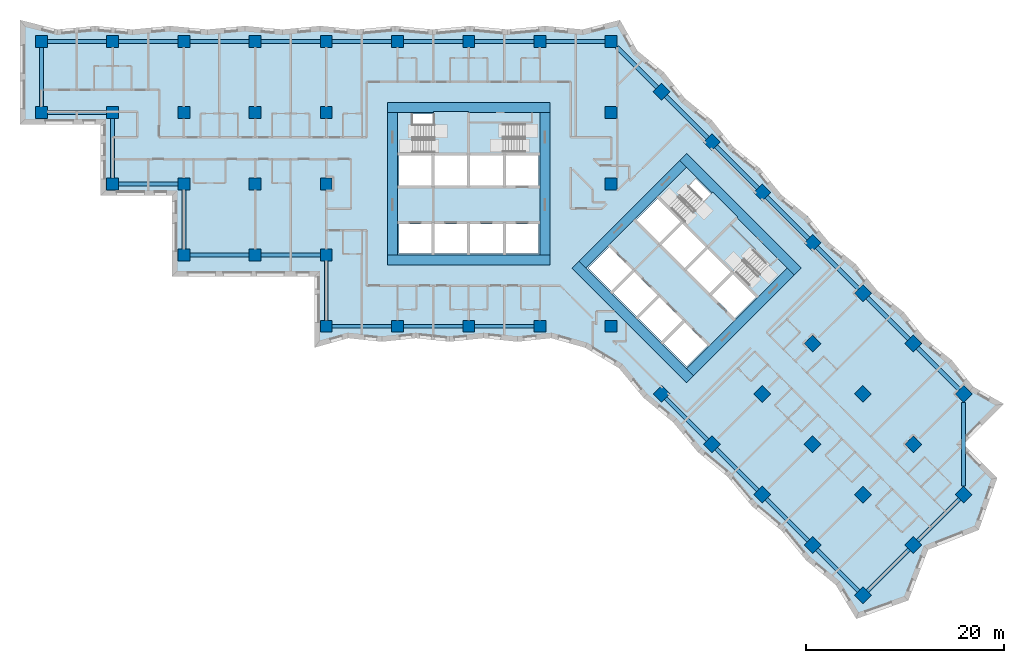
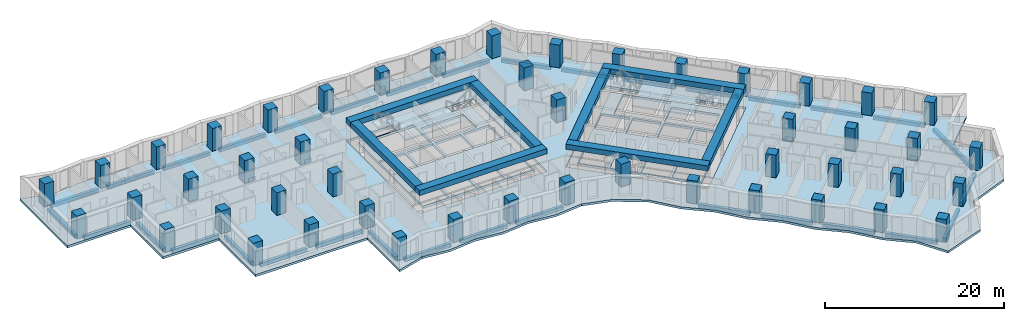
# One storey, part 1 of 13: 48 columns, 41 beams, 7 slabs, 22 openings, 4 elements without a shape of their own.
"""IFC4 building model written with IfcOpenShell, lengths in metres."""

from ifc_helpers import new_model, si_unit, direction, frame, origin, origin_2d, place, context, subcontext, project, spatial, polyline, rectangle, outline, extrude, material, layer, layer_set, material_profile, profile_set, type_object, element, aggregate, save


model = new_model("IFC4")

# Units and contexts
model_context = context("Model", 3, precision=1e-05, world=origin(), true_north=direction((0.0, 1.0)))
body_context = subcontext(model_context, "Body", "Model", "MODEL_VIEW")
ifc_project = project(units=[si_unit("LENGTHUNIT", "METRE"), si_unit("AREAUNIT", "SQUARE_METRE"), si_unit("VOLUMEUNIT", "CUBIC_METRE"), si_unit("PLANEANGLEUNIT", "RADIAN"), si_unit("MASSUNIT", "GRAM", prefix="KILO")], contexts=[model_context])

# Site, building, storey
site_placement = place(None, origin())
site = spatial("IfcSite", under=ifc_project, at=site_placement, CompositionType="ELEMENT")
building_placement = place(site_placement, origin())
building = spatial("IfcBuilding", under=site, at=building_placement, Name="Windrow Commons", CompositionType="ELEMENT")
storey_placement = place(building_placement, frame((0.0, 0.0, 33.8)))
storey = spatial("IfcBuildingStorey", under=building, at=storey_placement, Name="L08", CompositionType="ELEMENT", Elevation=33.8)

# Columns
ifc_material_1 = material(Name="Concrete C60/75", Category="concrete")
ifc_material_profile_1 = material_profile(ifc_material_1, rectangle(XDim=1.2, YDim=1.2, at=origin_2d()))
ifc_profile_set_1 = profile_set([ifc_material_profile_1], Name="Concrete C60/75")
column_type = type_object("IfcColumnType", Name="RC COLUMN 1200x1200 C60/75", PredefinedType="COLUMN", material=ifc_profile_set_1)
for number, where, z_axis, x_axis, name in (
    (1, (21.6, 64.8, 0.0), (0.0, 0.0, 1.0), (1.0, 0.0, 0.0), "C-Z1-04I"),
    (2, (21.6, 72.0, 0.0), (0.0, 0.0, 1.0), (1.0, 0.0, 0.0), "C-Z1-04J"),
    (3, (28.8, 57.6, 0.0), (0.0, 0.0, 1.0), (1.0, 0.0, 0.0), "C-Z1-05H"),
    (4, (28.8, 64.8, 0.0), (0.0, 0.0, 1.0), (1.0, 0.0, 0.0), "C-Z1-05I"),
    (5, (28.8, 72.0, 0.0), (0.0, 0.0, 1.0), (1.0, 0.0, 0.0), "C-Z1-05J"),
    (6, (36.0, 50.4, 0.0), (0.0, 0.0, 1.0), (1.0, 0.0, 0.0), "C-Z1-06G"),
    (7, (36.0, 57.6, 0.0), (0.0, 0.0, 1.0), (1.0, 0.0, 0.0), "C-Z1-06H"),
    (8, (36.0, 64.8, 0.0), (0.0, 0.0, 1.0), (1.0, 0.0, 0.0), "C-Z1-06I"),
    (9, (36.0, 72.0, 0.0), (0.0, 0.0, 1.0), (1.0, 0.0, 0.0), "C-Z1-06J"),
    (10, (43.2, 50.4, 0.0), (0.0, 0.0, 1.0), (1.0, 0.0, 0.0), "C-Z1-07G"),
    (11, (43.2, 57.6, 0.0), (0.0, 0.0, 1.0), (1.0, 0.0, 0.0), "C-Z1-07H"),
    (12, (43.2, 64.8, 0.0), (0.0, 0.0, 1.0), (1.0, 0.0, 0.0), "C-Z1-07I"),
    (13, (43.2, 72.0, 0.0), (0.0, 0.0, 1.0), (1.0, 0.0, 0.0), "C-Z1-07J"),
    (14, (50.4, 43.2, 0.0), (0.0, 0.0, 1.0), (1.0, 0.0, 0.0), "C-Z1-08F"),
    (15, (50.4, 50.4, 0.0), (0.0, 0.0, 1.0), (1.0, 0.0, 0.0), "C-Z1-08G"),
    (16, (50.4, 57.6, 0.0), (0.0, 0.0, 1.0), (1.0, 0.0, 0.0), "C-Z1-08H"),
    (17, (50.4, 64.8, 0.0), (0.0, 0.0, 1.0), (1.0, 0.0, 0.0), "C-Z1-08I"),
    (18, (50.4, 72.0, 0.0), (0.0, 0.0, 1.0), (1.0, 0.0, 0.0), "C-Z1-08J"),
    (19, (57.6, 43.2, 0.0), (0.0, 0.0, 1.0), (1.0, 0.0, 0.0), "C-Z1-09F"),
    (20, (57.6, 72.0, 0.0), (0.0, 0.0, 1.0), (1.0, 0.0, 0.0), "C-Z1-09J"),
    (21, (64.8, 43.2, 0.0), (0.0, 0.0, 1.0), (1.0, 0.0, 0.0), "C-Z1-10F"),
    (22, (64.8, 72.0, 0.0), (0.0, 0.0, 1.0), (1.0, 0.0, 0.0), "C-Z1-10J"),
    (23, (72.0, 43.2, 0.0), (0.0, 0.0, 1.0), (1.0, 0.0, 0.0), "C-Z1-11F"),
    (24, (72.0, 72.0, 0.0), (0.0, 0.0, 1.0), (1.0, 0.0, 0.0), "C-Z1-11J"),
    (25, (79.2, 43.2, 0.0), (0.0, 0.0, 1.0), (1.0, 0.0, 0.0), "C-Z1-12F"),
    (26, (79.2, 57.6, 0.0), (0.0, 0.0, 1.0), (1.0, 0.0, 0.0), "C-Z1-12H"),
    (27, (79.2, 64.8, 0.0), (0.0, 0.0, 1.0), (1.0, 0.0, 0.0), "C-Z1-12I"),
    (28, (79.2, 72.0, 0.0), (0.0, 0.0, 1.0), (1.0, 0.0, 0.0), "C-Z1-12J"),
    (29, (84.2912, 66.9088, 0.0), (0.0, 0.0, 1.0), (0.7071067812, -0.7071067812, 0.0), "C-Z1-P2Q"),
    (30, (89.3823, 61.8177, 0.0), (0.0, 0.0, 1.0), (0.7071067812, -0.7071067812, 0.0), "C-Z1-P3Q"),
    (31, (94.4735, 56.7265, 0.0), (0.0, 0.0, 1.0), (0.7071067812, -0.7071067812, 0.0), "C-Z1-P4Q"),
    (32, (99.5647, 51.6353, 0.0), (0.0, 0.0, 1.0), (0.7071067812, -0.7071067812, 0.0), "C-Z1-P5Q"),
    (33, (84.2912, 36.3618, 0.0), (0.0, 0.0, 1.0), (0.7071067812, -0.7071067812, 0.0), "C-Z1-P5T"),
    (34, (104.6558, 46.5442, 0.0), (0.0, 0.0, 1.0), (0.7071067812, -0.7071067812, 0.0), "C-Z1-P6Q"),
    (35, (99.5647, 41.453, 0.0), (0.0, 0.0, 1.0), (0.7071067812, -0.7071067812, 0.0), "C-Z1-P6R"),
    (36, (94.4735, 36.3618, 0.0), (0.0, 0.0, 1.0), (0.7071067812, -0.7071067812, 0.0), "C-Z1-P6S"),
    (37, (89.3823, 31.2706, 0.0), (0.0, 0.0, 1.0), (0.7071067812, -0.7071067812, 0.0), "C-Z1-P6T"),
    (38, (109.747, 41.453, 0.0), (0.0, 0.0, 1.0), (0.7071067812, -0.7071067812, 0.0), "C-Z1-P7Q"),
    (39, (104.6558, 36.3618, 0.0), (0.0, 0.0, 1.0), (0.7071067812, -0.7071067812, 0.0), "C-Z1-P7R"),
    (40, (99.5647, 31.2706, 0.0), (0.0, 0.0, 1.0), (0.7071067812, -0.7071067812, 0.0), "C-Z1-P7S"),
    (41, (94.4735, 26.1795, 0.0), (0.0, 0.0, 1.0), (0.7071067812, -0.7071067812, 0.0), "C-Z1-P7T"),
    (42, (114.8382, 36.3618, 0.0), (0.0, 0.0, 1.0), (0.7071067812, -0.7071067812, 0.0), "C-Z1-P8Q"),
    (43, (109.747, 31.2706, 0.0), (0.0, 0.0, 1.0), (0.7071067812, -0.7071067812, 0.0), "C-Z1-P8R"),
    (44, (104.6558, 26.1795, 0.0), (0.0, 0.0, 1.0), (0.7071067812, -0.7071067812, 0.0), "C-Z1-P8S"),
    (45, (99.5647, 21.0883, 0.0), (0.0, 0.0, 1.0), (0.7071067812, -0.7071067812, 0.0), "C-Z1-P8T"),
    (46, (114.8382, 26.1795, 0.0), (0.0, 0.0, 1.0), (0.7071067812, -0.7071067812, 0.0), "C-Z1-P9R"),
    (47, (109.747, 21.0883, 0.0), (0.0, 0.0, 1.0), (0.7071067812, -0.7071067812, 0.0), "C-Z1-P9S"),
    (48, (104.6558, 15.9971, 0.0), (0.0, 0.0, 1.0), (0.7071067812, -0.7071067812, 0.0), "C-Z1-P9T"),
):
    element("IfcColumn", number, at=place(storey_placement, frame(where, z_axis=z_axis, x_axis=x_axis)), inside=storey, type_object=column_type, Name=name, PredefinedType="COLUMN", context=body_context, shape_type="SweptSolid", body=[
        extrude(rectangle(XDim=1.2, YDim=1.2, at=origin_2d()), origin(), (0.0, 0.0, 1.0), 3.1),
    ])

# Beams
ifc_material_2 = material(Name="Concrete C60/75", Category="concrete")
ifc_material_profile_2 = material_profile(ifc_material_2, rectangle(XDim=1.0, YDim=0.7, at=origin_2d()))
ifc_profile_set_2 = profile_set([ifc_material_profile_2], Name="Concrete C60/75")
beam_type_1 = type_object("IfcBeamType", Name="RC COUPLING BEAM 1000x700 C60/75", PredefinedType="LINTEL", material=ifc_profile_set_2)
for number, where, z_axis, x_axis, name in (
    (49, (56.6, 49.9, 2.75), (1.0, 0.0, 0.0), (0.0, 1.0, 0.0), "Core A coupling beam outer-S"),
    (50, (56.6, 65.3, 2.75), (1.0, 0.0, 0.0), (0.0, 1.0, 0.0), "Core A coupling beam outer-N"),
):
    element("IfcBeam", number, at=place(storey_placement, frame(where, z_axis=z_axis, x_axis=x_axis)), inside=storey, type_object=beam_type_1, Name=name, PredefinedType="LINTEL", context=body_context, shape_type="SweptSolid", body=[
        extrude(rectangle(XDim=1.0, YDim=0.7, at=origin_2d()), origin(), (0.0, 0.0, 1.0), 16.4),
    ])
for number, where, z_axis, x_axis, name in (
    (51, (57.1, 50.4, 2.75), (0.0, 1.0, 0.0), (-1.0, 0.0, 0.0), "Core A coupling beam outer-W"),
    (52, (72.5, 50.4, 2.75), (0.0, 1.0, 0.0), (-1.0, 0.0, 0.0), "Core A coupling beam outer-E"),
):
    element("IfcBeam", number, at=place(storey_placement, frame(where, z_axis=z_axis, x_axis=x_axis)), inside=storey, type_object=beam_type_1, Name=name, PredefinedType="LINTEL", context=body_context, shape_type="SweptSolid", body=[
        extrude(rectangle(XDim=1.0, YDim=0.7, at=origin_2d()), origin(), (0.0, 0.0, 1.0), 14.4),
    ])
for number, where, z_axis, x_axis, name in (
    (53, (75.5938, 49.4433, 2.75), (0.7071037324, -0.70710983, 0.0), (0.70710983, 0.7071037324, 0.0), "Core B coupling beam outer-S"),
    (54, (86.4832, 60.3327, 2.75), (0.70710983, -0.7071037324, 0.0), (0.7071037324, 0.70710983, 0.0), "Core B coupling beam outer-N"),
):
    element("IfcBeam", number, at=place(storey_placement, frame(where, z_axis=z_axis, x_axis=x_axis)), inside=storey, type_object=beam_type_1, Name=name, PredefinedType="LINTEL", context=body_context, shape_type="SweptSolid", body=[
        extrude(rectangle(XDim=1.0, YDim=0.7, at=origin_2d()), origin(), (0.0, 0.0, 1.0), 16.4),
    ])
beam_1_placement = place(storey_placement, frame((76.3009, 49.4433, 2.75), z_axis=(0.7071067812, 0.7071067812, 0.0), x_axis=(-0.7071067812, 0.7071067812, 0.0)))
element("IfcBeam", 55, at=beam_1_placement, inside=storey, type_object=beam_type_1, Name="Core B coupling beam outer-W", PredefinedType="LINTEL", context=body_context, shape_type="SweptSolid", body=[
    extrude(rectangle(XDim=1.0, YDim=0.7, at=origin_2d()), origin(), (0.0, 0.0, 1.0), 14.3999),
])
beam_2_placement = place(storey_placement, frame((87.1903, 38.5538, 2.75), z_axis=(0.707103309, 0.7071102534, 0.0), x_axis=(-0.7071102534, 0.707103309, 0.0)))
element("IfcBeam", 56, at=beam_2_placement, inside=storey, type_object=beam_type_1, Name="Core B coupling beam outer-E", PredefinedType="LINTEL", context=body_context, shape_type="SweptSolid", body=[
    extrude(rectangle(XDim=1.0, YDim=0.7, at=origin_2d()), origin(), (0.0, 0.0, 1.0), 14.4),
])
ifc_material_3 = material(Name="Concrete C60/75", Category="concrete")
ifc_material_profile_3 = material_profile(ifc_material_3, rectangle(XDim=0.4, YDim=0.5, at=origin_2d()))
ifc_profile_set_3 = profile_set([ifc_material_profile_3], Name="Concrete C60/75")
beam_type_2 = type_object("IfcBeamType", Name="RC EDGE BEAM 400x500 C60/75", PredefinedType="SPANDREL", material=ifc_profile_set_3)
for number, where, z_axis, x_axis, name in (
    (57, (42.6, 50.4, -0.55), (-1.0, 0.0, 0.0), (0.0, -1.0, 0.0), "Edge beam L08 001"),
    (58, (36.0, 51.0, -0.55), (0.0, 1.0, 0.0), (-1.0, 0.0, 0.0), "Edge beam L08 002"),
    (59, (35.4, 57.6, -0.55), (-1.0, 0.0, 0.0), (0.0, -1.0, 0.0), "Edge beam L08 003"),
    (60, (28.8, 58.2, -0.55), (0.0, 1.0, 0.0), (-1.0, 0.0, 0.0), "Edge beam L08 004"),
    (61, (28.2, 64.8, -0.55), (-1.0, 0.0, 0.0), (0.0, -1.0, 0.0), "Edge beam L08 005"),
    (62, (21.6, 65.4, -0.55), (0.0, 1.0, 0.0), (-1.0, 0.0, 0.0), "Edge beam L08 006"),
    (63, (22.2, 72.0, -0.55), (1.0, 0.0, 0.0), (0.0, 1.0, 0.0), "Edge beam L08 007"),
    (64, (29.4, 72.0, -0.55), (1.0, 0.0, 0.0), (0.0, 1.0, 0.0), "Edge beam L08 008"),
    (65, (36.6, 72.0, -0.55), (1.0, 0.0, 0.0), (0.0, 1.0, 0.0), "Edge beam L08 009"),
    (66, (43.8, 72.0, -0.55), (1.0, 0.0, 0.0), (0.0, 1.0, 0.0), "Edge beam L08 010"),
    (67, (51.0, 72.0, -0.55), (1.0, 0.0, 0.0), (0.0, 1.0, 0.0), "Edge beam L08 011"),
    (68, (58.2, 72.0, -0.55), (1.0, 0.0, 0.0), (0.0, 1.0, 0.0), "Edge beam L08 012"),
    (69, (65.4, 72.0, -0.55), (1.0, 0.0, 0.0), (0.0, 1.0, 0.0), "Edge beam L08 013"),
    (70, (72.6, 72.0, -0.55), (1.0, 0.0, 0.0), (0.0, 1.0, 0.0), "Edge beam L08 014"),
):
    element("IfcBeam", number, at=place(storey_placement, frame(where, z_axis=z_axis, x_axis=x_axis)), inside=storey, type_object=beam_type_2, Name=name, PredefinedType="SPANDREL", context=body_context, shape_type="SweptSolid", body=[
        extrude(rectangle(XDim=0.4, YDim=0.5, at=origin_2d()), origin(), (0.0, 0.0, 1.0), 6.0),
    ])
beam_3_placement = place(storey_placement, frame((79.8, 71.4, -0.55), z_axis=(0.7071067812, -0.7071067812, 0.0), x_axis=(0.7071067812, 0.7071067812, 0.0)))
element("IfcBeam", 71, at=beam_3_placement, inside=storey, type_object=beam_type_2, Name="Edge beam L08 015", PredefinedType="SPANDREL", context=body_context, shape_type="SweptSolid", body=[
    extrude(rectangle(XDim=0.4, YDim=0.5, at=origin_2d()), origin(), (0.0, 0.0, 1.0), 5.7515),
])
beam_4_placement = place(storey_placement, frame((84.7155, 66.4845, -0.55), z_axis=(0.7071067812, -0.7071067812, 0.0), x_axis=(0.7071067812, 0.7071067812, 0.0)))
element("IfcBeam", 72, at=beam_4_placement, inside=storey, type_object=beam_type_2, Name="Edge beam L08 016", PredefinedType="SPANDREL", context=body_context, shape_type="SweptSolid", body=[
    extrude(rectangle(XDim=0.4, YDim=0.5, at=origin_2d()), origin(), (0.0, 0.0, 1.0), 5.9998),
])
for number, where, z_axis, x_axis, name in (
    (73, (89.8066, 61.3934, -0.55), (0.7071067812, -0.7071067812, 0.0), (0.7071067812, 0.7071067812, 0.0), "Edge beam L08 017"),
    (74, (94.8978, 56.3022, -0.55), (0.7071067812, -0.7071067812, 0.0), (0.7071067812, 0.7071067812, 0.0), "Edge beam L08 018"),
):
    element("IfcBeam", number, at=place(storey_placement, frame(where, z_axis=z_axis, x_axis=x_axis)), inside=storey, type_object=beam_type_2, Name=name, PredefinedType="SPANDREL", context=body_context, shape_type="SweptSolid", body=[
        extrude(rectangle(XDim=0.4, YDim=0.5, at=origin_2d()), origin(), (0.0, 0.0, 1.0), 5.9999),
    ])
beam_5_placement = place(storey_placement, frame((99.989, 51.211, -0.55), z_axis=(0.7071067812, -0.7071067812, 0.0), x_axis=(0.7071067812, 0.7071067812, 0.0)))
element("IfcBeam", 75, at=beam_5_placement, inside=storey, type_object=beam_type_2, Name="Edge beam L08 019", PredefinedType="SPANDREL", context=body_context, shape_type="SweptSolid", body=[
    extrude(rectangle(XDim=0.4, YDim=0.5, at=origin_2d()), origin(), (0.0, 0.0, 1.0), 5.9998),
])
for number, where, z_axis, x_axis, name in (
    (76, (105.0801, 46.1199, -0.55), (0.7071067812, -0.7071067812, 0.0), (0.7071067812, 0.7071067812, 0.0), "Edge beam L08 020"),
    (77, (110.1713, 41.0287, -0.55), (0.7071067812, -0.7071067812, 0.0), (0.7071067812, 0.7071067812, 0.0), "Edge beam L08 021"),
):
    element("IfcBeam", number, at=place(storey_placement, frame(where, z_axis=z_axis, x_axis=x_axis)), inside=storey, type_object=beam_type_2, Name=name, PredefinedType="SPANDREL", context=body_context, shape_type="SweptSolid", body=[
        extrude(rectangle(XDim=0.4, YDim=0.5, at=origin_2d()), origin(), (0.0, 0.0, 1.0), 5.9999),
    ])
beam_6_placement = place(storey_placement, frame((114.8382, 35.5133, -0.55), z_axis=(0.0, -1.0, 0.0), x_axis=(1.0, 0.0, 0.0)))
element("IfcBeam", 78, at=beam_6_placement, inside=storey, type_object=beam_type_2, Name="Edge beam L08 022", PredefinedType="SPANDREL", context=body_context, shape_type="SweptSolid", body=[
    extrude(rectangle(XDim=0.4, YDim=0.5, at=origin_2d()), origin(), (0.0, 0.0, 1.0), 8.4853),
])
for number, where, z_axis, x_axis, name in (
    (79, (114.4139, 25.7552, -0.55), (-0.7071067812, -0.7071067812, 0.0), (0.7071067812, -0.7071067812, 0.0), "Edge beam L08 023"),
    (80, (109.3227, 20.664, -0.55), (-0.7071067812, -0.7071067812, 0.0), (0.7071067812, -0.7071067812, 0.0), "Edge beam L08 024"),
    (81, (104.2315, 16.4214, -0.55), (-0.7070984476, 0.7071151146, 0.0), (-0.7071151146, -0.7070984476, 0.0), "Edge beam L08 025"),
    (82, (99.1404, 21.5126, -0.55), (-0.7071067812, 0.7071067812, 0.0), (-0.7071067812, -0.7071067812, 0.0), "Edge beam L08 026"),
    (83, (94.0492, 26.6038, -0.55), (-0.7071151146, 0.7070984476, 0.0), (-0.7070984476, -0.7071151146, 0.0), "Edge beam L08 027"),
    (84, (88.958, 31.6949, -0.55), (-0.7070984476, 0.7071151146, 0.0), (-0.7071151146, -0.7070984476, 0.0), "Edge beam L08 028"),
):
    element("IfcBeam", number, at=place(storey_placement, frame(where, z_axis=z_axis, x_axis=x_axis)), inside=storey, type_object=beam_type_2, Name=name, PredefinedType="SPANDREL", context=body_context, shape_type="SweptSolid", body=[
        extrude(rectangle(XDim=0.4, YDim=0.5, at=origin_2d()), origin(), (0.0, 0.0, 1.0), 5.9999),
    ])
for number, where, z_axis, x_axis, name in (
    (85, (71.4, 43.2, -0.55), (-1.0, 0.0, 0.0), (0.0, -1.0, 0.0), "Edge beam L08 029"),
    (86, (64.2, 43.2, -0.55), (-1.0, 0.0, 0.0), (0.0, -1.0, 0.0), "Edge beam L08 030"),
    (87, (57.0, 43.2, -0.55), (-1.0, 0.0, 0.0), (0.0, -1.0, 0.0), "Edge beam L08 031"),
    (88, (50.4, 43.8, -0.55), (0.0, 1.0, 0.0), (-1.0, 0.0, 0.0), "Edge beam L08 032"),
    (89, (49.8, 50.4, -0.55), (-1.0, 0.0, 0.0), (0.0, -1.0, 0.0), "Edge beam L08 033"),
):
    element("IfcBeam", number, at=place(storey_placement, frame(where, z_axis=z_axis, x_axis=x_axis)), inside=storey, type_object=beam_type_2, Name=name, PredefinedType="SPANDREL", context=body_context, shape_type="SweptSolid", body=[
        extrude(rectangle(XDim=0.4, YDim=0.5, at=origin_2d()), origin(), (0.0, 0.0, 1.0), 6.0),
    ])

# Slab, openings
ifc_material_4 = material(Name="Concrete C60/75", Category="concrete")
ifc_layer_1 = layer(ifc_material_4, 0.3)
ifc_layer_set_1 = layer_set([ifc_layer_1], Name="CORE FLOOR SLAB 300 C60/75")
slab_type_1 = type_object("IfcSlabType", Name="CORE FLOOR SLAB 300 C60/75", PredefinedType="FLOOR", material=ifc_layer_set_1)
placement_1 = place(storey_placement, frame((0.0, 0.0, -0.3)))
slab_1 = element("IfcSlab", 90, at=placement_1, inside=storey, type_object=slab_type_1, Name="S-L08-core-A", PredefinedType="FLOOR", context=body_context, shape_type="SweptSolid", body=[
    extrude(outline(polyline([(57.6, 50.4), (72.0, 50.4), (72.0, 64.8), (57.6, 64.8), (57.6, 50.4)]), holes=[polyline([(57.75, 50.55), (61.05, 50.55), (61.05, 53.55), (57.75, 53.55), (57.75, 50.55)]), polyline([(61.35, 50.55), (64.65, 50.55), (64.65, 53.55), (61.35, 53.55), (61.35, 50.55)]), polyline([(64.95, 50.55), (68.25, 50.55), (68.25, 53.55), (64.95, 53.55), (64.95, 50.55)]), polyline([(68.55, 50.55), (71.85, 50.55), (71.85, 53.55), (68.55, 53.55), (68.55, 50.55)]), polyline([(57.75, 57.45), (61.05, 57.45), (61.05, 60.45), (57.75, 60.45), (57.75, 57.45)]), polyline([(61.35, 57.45), (64.65, 57.45), (64.65, 60.45), (61.35, 60.45), (61.35, 57.45)]), polyline([(64.95, 57.45), (68.25, 57.45), (68.25, 60.45), (64.95, 60.45), (64.95, 57.45)]), polyline([(68.55, 57.45), (71.85, 57.45), (71.85, 60.45), (68.55, 60.45), (68.55, 57.45)]), polyline([(59.1, 60.75), (64.65, 60.75), (64.65, 64.65), (59.1, 64.65), (59.1, 60.75)]), polyline([(64.95, 60.75), (70.5, 60.75), (70.5, 63.705), (64.95, 63.705), (64.95, 60.75)])]), origin(), (0.0, 0.0, 1.0), 0.3),
])
opening_1_placement = place(placement_1, origin())
element("IfcOpeningElement", 91, at=opening_1_placement, cuts=slab_1, Name="Slab opening S-L08-core-A 1", PredefinedType="OPENING", context=body_context, shape_type="SweptSolid", body=[
    extrude(outline(polyline([(57.755, 50.555), (57.755, 53.545), (61.045, 53.545), (61.045, 50.555), (57.755, 50.555)])), origin(), (0.0, 0.0, 1.0), 0.3),
])
opening_2_placement = place(placement_1, origin())
element("IfcOpeningElement", 92, at=opening_2_placement, cuts=slab_1, Name="Slab opening S-L08-core-A 2", PredefinedType="OPENING", context=body_context, shape_type="SweptSolid", body=[
    extrude(outline(polyline([(61.355, 50.555), (61.355, 53.545), (64.645, 53.545), (64.645, 50.555), (61.355, 50.555)])), origin(), (0.0, 0.0, 1.0), 0.3),
])
opening_3_placement = place(placement_1, origin())
element("IfcOpeningElement", 93, at=opening_3_placement, cuts=slab_1, Name="Slab opening S-L08-core-A 3", PredefinedType="OPENING", context=body_context, shape_type="SweptSolid", body=[
    extrude(outline(polyline([(64.955, 50.555), (64.955, 53.545), (68.245, 53.545), (68.245, 50.555), (64.955, 50.555)])), origin(), (0.0, 0.0, 1.0), 0.3),
])
opening_4_placement = place(placement_1, origin())
element("IfcOpeningElement", 94, at=opening_4_placement, cuts=slab_1, Name="Slab opening S-L08-core-A 4", PredefinedType="OPENING", context=body_context, shape_type="SweptSolid", body=[
    extrude(outline(polyline([(68.555, 50.555), (68.555, 53.545), (71.845, 53.545), (71.845, 50.555), (68.555, 50.555)])), origin(), (0.0, 0.0, 1.0), 0.3),
])
opening_5_placement = place(placement_1, origin())
element("IfcOpeningElement", 95, at=opening_5_placement, cuts=slab_1, Name="Slab opening S-L08-core-A 5", PredefinedType="OPENING", context=body_context, shape_type="SweptSolid", body=[
    extrude(outline(polyline([(57.755, 57.455), (57.755, 60.445), (61.045, 60.445), (61.045, 57.455), (57.755, 57.455)])), origin(), (0.0, 0.0, 1.0), 0.3),
])
opening_6_placement = place(placement_1, origin())
element("IfcOpeningElement", 96, at=opening_6_placement, cuts=slab_1, Name="Slab opening S-L08-core-A 6", PredefinedType="OPENING", context=body_context, shape_type="SweptSolid", body=[
    extrude(outline(polyline([(61.355, 57.455), (61.355, 60.445), (64.645, 60.445), (64.645, 57.455), (61.355, 57.455)])), origin(), (0.0, 0.0, 1.0), 0.3),
])
opening_7_placement = place(placement_1, origin())
element("IfcOpeningElement", 97, at=opening_7_placement, cuts=slab_1, Name="Slab opening S-L08-core-A 7", PredefinedType="OPENING", context=body_context, shape_type="SweptSolid", body=[
    extrude(outline(polyline([(64.955, 57.455), (64.955, 60.445), (68.245, 60.445), (68.245, 57.455), (64.955, 57.455)])), origin(), (0.0, 0.0, 1.0), 0.3),
])
opening_8_placement = place(placement_1, origin())
element("IfcOpeningElement", 98, at=opening_8_placement, cuts=slab_1, Name="Slab opening S-L08-core-A 8", PredefinedType="OPENING", context=body_context, shape_type="SweptSolid", body=[
    extrude(outline(polyline([(68.555, 57.455), (68.555, 60.445), (71.845, 60.445), (71.845, 57.455), (68.555, 57.455)])), origin(), (0.0, 0.0, 1.0), 0.3),
])
opening_9_placement = place(placement_1, origin())
element("IfcOpeningElement", 99, at=opening_9_placement, cuts=slab_1, Name="Slab opening S-L08-core-A 9", PredefinedType="OPENING", context=body_context, shape_type="SweptSolid", body=[
    extrude(outline(polyline([(59.105, 60.755), (59.105, 64.645), (64.645, 64.645), (64.645, 60.755), (59.105, 60.755)])), origin(), (0.0, 0.0, 1.0), 0.3),
])
opening_10_placement = place(placement_1, origin())
element("IfcOpeningElement", 100, at=opening_10_placement, cuts=slab_1, Name="Slab opening S-L08-core-A 10", PredefinedType="OPENING", context=body_context, shape_type="SweptSolid", body=[
    extrude(outline(polyline([(64.955, 60.755), (64.955, 63.7), (70.495, 63.7), (70.495, 60.755), (64.955, 60.755)])), origin(), (0.0, 0.0, 1.0), 0.3),
])

slab_2 = element("IfcSlab", 101, at=placement_1, inside=storey, type_object=slab_type_1, Name="S-L08-core-B", PredefinedType="FLOOR", context=body_context, shape_type="SweptSolid", body=[
    extrude(outline(polyline([(76.6544, 49.0897), (86.8368, 38.9074), (97.0191, 49.0897), (86.8368, 59.2721), (76.6544, 49.0897)]), holes=[polyline([(76.8665, 49.0897), (79.2, 46.7563), (81.3213, 48.8776), (78.9879, 51.2111), (76.8665, 49.0897)]), polyline([(79.4121, 46.5442), (81.7456, 44.2107), (83.8669, 46.332), (81.5335, 48.6655), (79.4121, 46.5442)]), polyline([(81.9577, 43.9986), (84.2912, 41.6651), (86.4125, 43.7864), (84.079, 46.1199), (81.9577, 43.9986)]), polyline([(84.5033, 41.453), (86.8368, 39.1195), (88.9581, 41.2409), (86.6246, 43.5743), (84.5033, 41.453)]), polyline([(81.7456, 53.9688), (84.079, 51.6353), (86.2004, 53.7566), (83.8669, 56.0901), (81.7456, 53.9688)]), polyline([(84.2912, 51.4232), (86.6246, 49.0897), (88.7459, 51.2111), (86.4125, 53.5445), (84.2912, 51.4232)]), polyline([(86.8368, 48.8776), (89.1702, 46.5442), (91.2915, 48.6655), (88.9581, 50.9989), (86.8368, 48.8776)]), polyline([(89.3823, 46.332), (91.7158, 43.9986), (93.8371, 46.1199), (91.5037, 48.4533), (89.3823, 46.332)]), polyline([(85.0336, 55.3476), (88.9581, 51.4232), (91.7158, 54.1809), (87.7913, 58.1054), (85.0336, 55.3476)]), polyline([(89.1702, 51.2111), (93.0946, 47.2866), (95.1841, 49.3761), (91.2597, 53.3006), (89.1702, 51.2111)])]), origin(), (0.0, 0.0, 1.0), 0.3),
])
opening_11_placement = place(placement_1, origin())
element("IfcOpeningElement", 102, at=opening_11_placement, cuts=slab_2, Name="Slab opening S-L08-core-B 1", PredefinedType="OPENING", context=body_context, shape_type="SweptSolid", body=[
    extrude(outline(polyline([(76.8736, 49.0897), (78.9879, 51.204), (81.3142, 48.8776), (79.2, 46.7634), (76.8736, 49.0897)])), origin(), (0.0, 0.0, 1.0), 0.3),
])
opening_12_placement = place(placement_1, origin())
element("IfcOpeningElement", 103, at=opening_12_placement, cuts=slab_2, Name="Slab opening S-L08-core-B 2", PredefinedType="OPENING", context=body_context, shape_type="SweptSolid", body=[
    extrude(outline(polyline([(79.4192, 46.5442), (81.5335, 48.6584), (83.8598, 46.332), (81.7456, 44.2178), (79.4192, 46.5442)])), origin(), (0.0, 0.0, 1.0), 0.3),
])
opening_13_placement = place(placement_1, origin())
element("IfcOpeningElement", 104, at=opening_13_placement, cuts=slab_2, Name="Slab opening S-L08-core-B 3", PredefinedType="OPENING", context=body_context, shape_type="SweptSolid", body=[
    extrude(outline(polyline([(81.9648, 43.9986), (84.079, 46.1128), (86.4054, 43.7864), (84.2912, 41.6722), (81.9648, 43.9986)])), origin(), (0.0, 0.0, 1.0), 0.3),
])
opening_14_placement = place(placement_1, origin())
element("IfcOpeningElement", 105, at=opening_14_placement, cuts=slab_2, Name="Slab opening S-L08-core-B 4", PredefinedType="OPENING", context=body_context, shape_type="SweptSolid", body=[
    extrude(outline(polyline([(84.5104, 41.453), (86.6246, 43.5672), (88.951, 41.2409), (86.8368, 39.1266), (84.5104, 41.453)])), origin(), (0.0, 0.0, 1.0), 0.3),
])
opening_15_placement = place(placement_1, origin())
element("IfcOpeningElement", 106, at=opening_15_placement, cuts=slab_2, Name="Slab opening S-L08-core-B 5", PredefinedType="OPENING", context=body_context, shape_type="SweptSolid", body=[
    extrude(outline(polyline([(81.7527, 53.9688), (83.8669, 56.083), (86.1933, 53.7566), (84.079, 51.6424), (81.7527, 53.9688)])), origin(), (0.0, 0.0, 1.0), 0.3),
])
opening_16_placement = place(placement_1, origin())
element("IfcOpeningElement", 107, at=opening_16_placement, cuts=slab_2, Name="Slab opening S-L08-core-B 6", PredefinedType="OPENING", context=body_context, shape_type="SweptSolid", body=[
    extrude(outline(polyline([(84.2983, 51.4232), (86.4125, 53.5374), (88.7388, 51.2111), (86.6246, 49.0968), (84.2983, 51.4232)])), origin(), (0.0, 0.0, 1.0), 0.3),
])
opening_17_placement = place(placement_1, origin())
element("IfcOpeningElement", 108, at=opening_17_placement, cuts=slab_2, Name="Slab opening S-L08-core-B 7", PredefinedType="OPENING", context=body_context, shape_type="SweptSolid", body=[
    extrude(outline(polyline([(86.8439, 48.8776), (88.9581, 50.9918), (91.2844, 48.6655), (89.1702, 46.5513), (86.8439, 48.8776)])), origin(), (0.0, 0.0, 1.0), 0.3),
])
opening_18_placement = place(placement_1, origin())
element("IfcOpeningElement", 109, at=opening_18_placement, cuts=slab_2, Name="Slab opening S-L08-core-B 8", PredefinedType="OPENING", context=body_context, shape_type="SweptSolid", body=[
    extrude(outline(polyline([(89.3894, 46.332), (91.5037, 48.4462), (93.83, 46.1199), (91.7158, 44.0057), (89.3894, 46.332)])), origin(), (0.0, 0.0, 1.0), 0.3),
])
opening_19_placement = place(placement_1, origin())
element("IfcOpeningElement", 110, at=opening_19_placement, cuts=slab_2, Name="Slab opening S-L08-core-B 9", PredefinedType="OPENING", context=body_context, shape_type="SweptSolid", body=[
    extrude(outline(polyline([(85.0407, 55.3476), (87.7913, 58.0983), (91.7087, 54.1809), (88.9581, 51.4303), (85.0407, 55.3476)])), origin(), (0.0, 0.0, 1.0), 0.3),
])
opening_20_placement = place(placement_1, origin())
element("IfcOpeningElement", 111, at=opening_20_placement, cuts=slab_2, Name="Slab opening S-L08-core-B 10", PredefinedType="OPENING", context=body_context, shape_type="SweptSolid", body=[
    extrude(outline(polyline([(89.1773, 51.2111), (91.2597, 53.2935), (95.177, 49.3761), (93.0946, 47.2937), (89.1773, 51.2111)])), origin(), (0.0, 0.0, 1.0), 0.3),
])

# Stair, slab
ifc_material_5 = material(Name="Concrete C40/50", Category="concrete")
stair_type = type_object("IfcStairType", Name="Core stair", PredefinedType="HALF_TURN_STAIR", material=ifc_material_5)
placement_2 = place(storey_placement, origin())
stair_1 = element("IfcStair", 112, at=placement_2, inside=storey, type_object=stair_type, Name="L08 Exit stair A1 core A", PredefinedType="HALF_TURN_STAIR")
ifc_material_6 = material(Name="Concrete C40/50", Category="concrete")
ifc_layer_2 = layer(ifc_material_6, 0.2)
ifc_layer_set_2 = layer_set([ifc_layer_2], Name="Core stair landing")
slab_type_2 = type_object("IfcSlabType", Name="Core stair landing", PredefinedType="LANDING", material=ifc_layer_set_2)
placement_3 = place(storey_placement, frame((0.0, 0.0, 1.5)))
slab_3 = element("IfcSlab", 113, at=placement_3, type_object=slab_type_2, Name="ST-A1 landing 1", PredefinedType="LANDING", context=body_context, shape_type="SweptSolid", body=[
    extrude(outline(polyline([(61.22, 60.5), (64.8, 60.5), (64.8, 64.9), (61.22, 64.9), (61.22, 60.5)])), origin(), (0.0, 0.0, 1.0), 0.2),
])
aggregate(stair_1, [slab_3])

stair_2 = element("IfcStair", 114, at=placement_2, inside=storey, type_object=stair_type, Name="L08 Exit stair A2 core A", PredefinedType="HALF_TURN_STAIR")
slab_4 = element("IfcSlab", 115, at=placement_3, type_object=slab_type_2, Name="ST-A2 landing 1", PredefinedType="LANDING", context=body_context, shape_type="SweptSolid", body=[
    extrude(outline(polyline([(64.8, 60.5), (68.38, 60.5), (68.38, 63.855), (64.8, 63.855), (64.8, 60.5)])), origin(), (0.0, 0.0, 1.0), 0.2),
])
aggregate(stair_2, [slab_4])

stair_3 = element("IfcStair", 116, at=placement_2, inside=storey, type_object=stair_type, Name="L08 Exit stair B1 core B", PredefinedType="HALF_TURN_STAIR")
slab_5 = element("IfcSlab", 117, at=placement_3, type_object=slab_type_2, Name="ST-B1 landing 1", PredefinedType="LANDING", context=body_context, shape_type="SweptSolid", body=[
    extrude(outline(polyline([(86.3559, 53.6718), (88.8874, 51.1403), (91.9986, 54.2516), (89.4672, 56.7831), (86.3559, 53.6718)])), origin(), (0.0, 0.0, 1.0), 0.2),
])
aggregate(stair_3, [slab_5])

stair_4 = element("IfcStair", 118, at=placement_2, inside=storey, type_object=stair_type, Name="L08 Exit stair B2 core B", PredefinedType="HALF_TURN_STAIR")
slab_6 = element("IfcSlab", 119, at=placement_3, type_object=slab_type_2, Name="ST-B2 landing 1", PredefinedType="LANDING", context=body_context, shape_type="SweptSolid", body=[
    extrude(outline(polyline([(88.8874, 51.1403), (91.4188, 48.6089), (93.7911, 50.9812), (91.2597, 53.5127), (88.8874, 51.1403)])), origin(), (0.0, 0.0, 1.0), 0.2),
])
aggregate(stair_4, [slab_6])

# Slab, openings
ifc_material_7 = material(Name="Concrete C60/75", Category="concrete")
ifc_layer_3 = layer(ifc_material_7, 0.3)
ifc_layer_set_3 = layer_set([ifc_layer_3], Name="FLOOR SLAB 300 C60/75")
slab_type_3 = type_object("IfcSlabType", Name="FLOOR SLAB 300 C60/75", PredefinedType="FLOOR", material=ifc_layer_set_3)
slab_7 = element("IfcSlab", 120, at=placement_1, inside=storey, type_object=slab_type_3, Name="S-L08-floor", PredefinedType="FLOOR", context=body_context, shape_type="SweptSolid", body=[
    extrude(outline(polyline([(101.914, 17.0419), (103.9763, 13.6206), (109.2373, 15.4875), (111.2457, 20.6071), (116.3653, 22.6155), (118.2323, 27.8765), (114.8382, 31.2706), (118.9118, 35.3443), (115.8062, 37.0909), (113.6355, 39.7722), (110.9542, 41.9429), (108.7834, 44.6242), (106.1021, 46.795), (103.9313, 49.4763), (101.25, 51.6471), (99.0792, 54.3284), (96.3979, 56.4992), (94.2271, 59.1805), (91.5458, 61.3513), (89.3751, 64.0326), (86.6938, 66.2033), (84.523, 68.8847), (81.8417, 71.0554), (80.0952, 74.161), (76.3041, 73.2), (72.5131, 73.561), (68.7221, 73.2), (64.9311, 73.561), (61.1401, 73.2), (57.3491, 73.561), (53.5581, 73.2), (49.7671, 73.561), (45.9761, 73.2), (42.1851, 73.561), (38.394, 73.2), (34.603, 73.561), (30.812, 73.2), (27.021, 73.561), (23.23, 73.2), (19.439, 74.161), (19.439, 63.6), (27.6, 63.6), (27.6, 56.4), (34.8, 56.4), (34.8, 48.239), (49.2, 48.239), (49.2, 41.039), (52.6197, 42.0), (56.0395, 41.639), (59.4592, 42.0), (62.8789, 41.639), (66.2987, 42.0), (69.7184, 41.639), (73.1381, 42.0), (76.5578, 41.039), (79.9792, 38.9767), (82.4658, 35.9796), (85.4629, 33.493), (87.9495, 30.4959), (90.9466, 28.0093), (93.4332, 25.0122), (96.4303, 22.5256), (98.9168, 19.5285), (101.914, 17.0419)]), holes=[polyline([(75.2402, 49.0897), (86.8368, 60.6863), (98.4333, 49.0897), (86.8368, 37.4932), (75.2402, 49.0897)]), polyline([(56.6, 49.4), (56.6, 65.8), (73.0, 65.8), (73.0, 49.4), (56.6, 49.4)])]), origin(), (0.0, 0.0, 1.0), 0.3),
])
opening_21_placement = place(placement_1, origin())
element("IfcOpeningElement", 121, at=opening_21_placement, cuts=slab_7, Name="Slab opening S-L08-floor 1", PredefinedType="OPENING", context=body_context, shape_type="SweptSolid", body=[
    extrude(outline(polyline([(75.2473, 49.0897), (86.8368, 60.6792), (98.4262, 49.0897), (86.8368, 37.5003), (75.2473, 49.0897)])), origin(), (0.0, 0.0, 1.0), 0.3),
])
opening_22_placement = place(placement_1, origin())
element("IfcOpeningElement", 122, at=opening_22_placement, cuts=slab_7, Name="Slab opening S-L08-floor 2", PredefinedType="OPENING", context=body_context, shape_type="SweptSolid", body=[
    extrude(outline(polyline([(56.605, 49.405), (56.605, 65.795), (72.995, 65.795), (72.995, 49.405), (56.605, 49.405)])), origin(), (0.0, 0.0, 1.0), 0.3),
])

save(model, "model.ifc")
